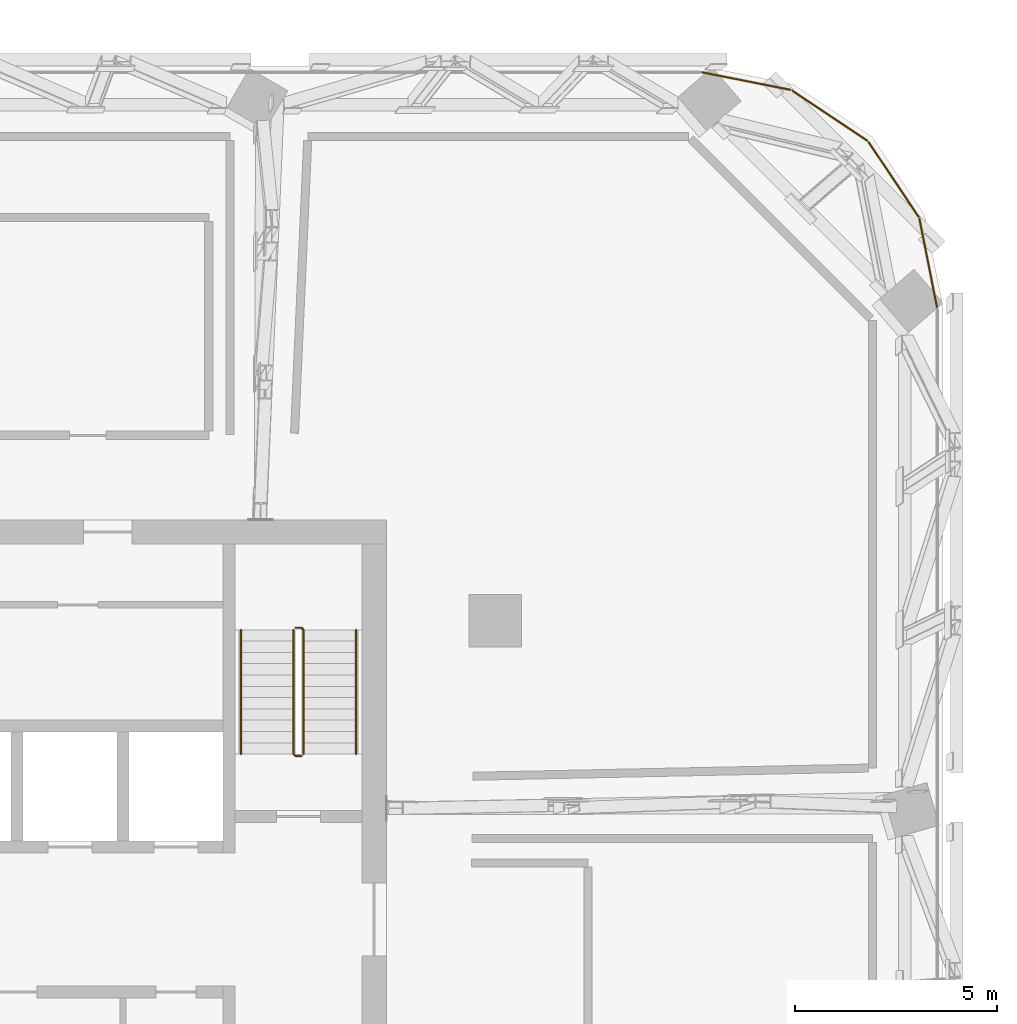
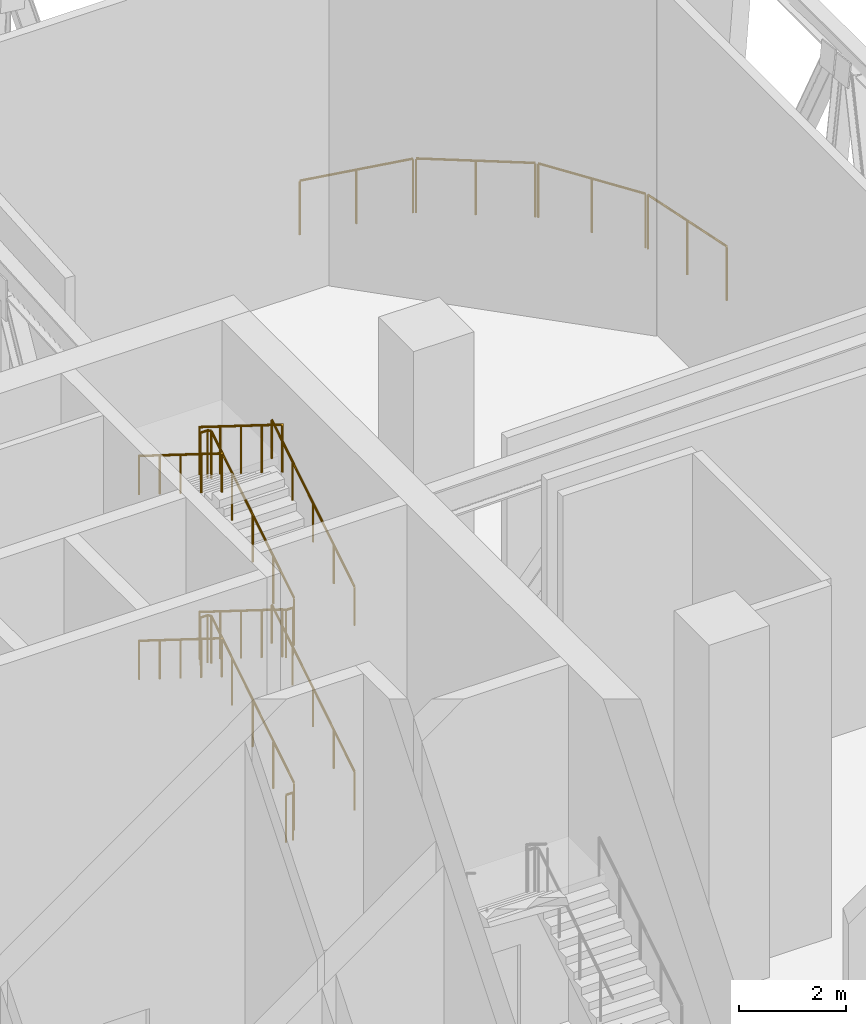
# One storey, part 24 of 24: 13 railings.
"""IFC4 building model written with IfcOpenShell, lengths in metres."""

from ifc_helpers import new_model, si_unit, direction, frame, origin, origin_2d, place, context, subcontext, project, spatial, circle, extrude, material, type_object, element, save


model = new_model("IFC4")

# Units and contexts
model_context = context("Model", 3, precision=1e-05, world=origin(), true_north=direction((0.0, 1.0)))
body_context = subcontext(model_context, "Body", "Model", "MODEL_VIEW")
ifc_project = project(units=[si_unit("LENGTHUNIT", "METRE"), si_unit("AREAUNIT", "SQUARE_METRE"), si_unit("VOLUMEUNIT", "CUBIC_METRE"), si_unit("PLANEANGLEUNIT", "RADIAN"), si_unit("MASSUNIT", "GRAM", prefix="KILO")], contexts=[model_context])

# Site, building, storey
site_placement = place(None, origin())
site = spatial("IfcSite", under=ifc_project, at=site_placement, CompositionType="ELEMENT")
building_placement = place(site_placement, origin())
building = spatial("IfcBuilding", under=site, at=building_placement, Name="Mopane Tessera Tower", CompositionType="ELEMENT")
storey_placement = place(building_placement, frame((0.0, 0.0, 259.0)))
storey = spatial("IfcBuildingStorey", under=building, at=storey_placement, Name="L56", CompositionType="ELEMENT", Elevation=259.0)

# Railings
ifc_material_1 = material(Name="Powder-coated steel balustrade", Category="steel")
railing_type_1 = type_object("IfcRailingType", Name="Escape stair guard 1100 mm", PredefinedType="GUARDRAIL", material=ifc_material_1)
railing_1_placement = place(storey_placement, frame((12.35009765625, 7.699951171875, 0.175048828125)))
element("IfcRailing", 1, at=railing_1_placement, inside=storey, type_object=railing_type_1, Name="L56 ST4 stair guard 1", PredefinedType="GUARDRAIL", context=body_context, shape_type="SweptSolid", body=[
    extrude(circle(Radius=0.02392578125, at=origin_2d()), frame((0.0, 0.0, 1.076171875), z_axis=(0.0, 0.847998304005, 0.529998940003), x_axis=(-1.0, 0.0, 0.0)), (0.0, 0.0, 1.0), 3.632080078125),
    extrude(circle(Radius=0.02392578125, at=origin_2d()), frame((0.0, 3.080078125, 3.0009765625), z_axis=(-0.707106781187, 0.707106781187, 0.0), x_axis=(-0.707106781187, -0.707106781187, 0.0)), (0.0, 0.0, 1.0), 0.07080078125),
    extrude(circle(Radius=0.02392578125, at=origin_2d()), frame((-0.050048828125, 3.130126953125, 3.0009765625), z_axis=(-1.0, 0.0, 0.0), x_axis=(0.0, -1.0, 0.0)), (0.0, 0.0, 1.0), 0.150146484375),
    extrude(circle(Radius=0.02099609375, at=origin_2d()), origin(), (0.0, 0.0, 1.0), 1.052001953125),
    extrude(circle(Radius=0.02099609375, at=origin_2d()), frame((0.0, 0.77001953125, 0.481201171875)), (0.0, 0.0, 1.0), 1.052001953125),
    extrude(circle(Radius=0.02099609375, at=origin_2d()), frame((0.0, 1.5400390625, 0.96240234375)), (0.0, 0.0, 1.0), 1.052001953125),
    extrude(circle(Radius=0.02099609375, at=origin_2d()), frame((0.0, 2.31005859375, 1.44384765625)), (0.0, 0.0, 1.0), 1.052001953125),
    extrude(circle(Radius=0.02099609375, at=origin_2d()), frame((0.0, 3.080078125, 1.925048828125)), (0.0, 0.0, 1.0), 1.052001953125),
    extrude(circle(Radius=0.02099609375, at=origin_2d()), frame((-0.050048828125, 3.130126953125, 1.925048828125)), (0.0, 0.0, 1.0), 1.052001953125),
    extrude(circle(Radius=0.02099609375, at=origin_2d()), frame((-0.2001953125, 3.130126953125, 1.925048828125)), (0.0, 0.0, 1.0), 1.052001953125),
])
railing_2_placement = place(storey_placement, frame((12.10009765625, 10.780029296875, 2.27490234375)))
element("IfcRailing", 2, at=railing_2_placement, inside=storey, type_object=railing_type_1, Name="L56 ST4 stair guard 2", PredefinedType="GUARDRAIL", context=body_context, shape_type="SweptSolid", body=[
    extrude(circle(Radius=0.02392578125, at=origin_2d()), frame((0.0, 0.0, 1.076171875), z_axis=(0.0, -0.847998304005, 0.529998940003), x_axis=(1.0, 0.0, 0.0)), (0.0, 0.0, 1.0), 3.632080078125),
    extrude(circle(Radius=0.02392578125, at=origin_2d()), frame((0.0, -3.080078125, 3.0009765625), z_axis=(0.705375805398, -0.708833529934, 0.0), x_axis=(0.708833529934, 0.705375805398, 0.0)), (0.0, 0.0, 1.0), 0.070556640625),
    extrude(circle(Radius=0.02392578125, at=origin_2d()), frame((0.0498046875, -3.130126953125, 3.0009765625), z_axis=(1.0, 0.0, 0.0), x_axis=(0.0, 1.0, 0.0)), (0.0, 0.0, 1.0), 0.150146484375),
    extrude(circle(Radius=0.02099609375, at=origin_2d()), origin(), (0.0, 0.0, 1.0), 1.052001953125),
    extrude(circle(Radius=0.02099609375, at=origin_2d()), frame((0.0, -0.77001953125, 0.481201171875)), (0.0, 0.0, 1.0), 1.052001953125),
    extrude(circle(Radius=0.02099609375, at=origin_2d()), frame((0.0, -1.5400390625, 0.96240234375)), (0.0, 0.0, 1.0), 1.052001953125),
    extrude(circle(Radius=0.02099609375, at=origin_2d()), frame((0.0, -2.31005859375, 1.44384765625)), (0.0, 0.0, 1.0), 1.052001953125),
    extrude(circle(Radius=0.02099609375, at=origin_2d()), frame((0.0, -3.080078125, 1.925048828125)), (0.0, 0.0, 1.0), 1.052001953125),
    extrude(circle(Radius=0.02099609375, at=origin_2d()), frame((0.0498046875, -3.130126953125, 1.925048828125)), (0.0, 0.0, 1.0), 1.052001953125),
    extrude(circle(Radius=0.02099609375, at=origin_2d()), frame((0.199951171875, -3.130126953125, 1.925048828125)), (0.0, 0.0, 1.0), 1.052001953125),
])
railing_3_placement = place(storey_placement, frame((12.35009765625, 7.699951171875, 4.375)))
element("IfcRailing", 3, at=railing_3_placement, inside=storey, type_object=railing_type_1, Name="L56 ST4 stair guard 3", PredefinedType="GUARDRAIL", context=body_context, shape_type="SweptSolid", body=[
    extrude(circle(Radius=0.02392578125, at=origin_2d()), frame((0.0, 0.0, 1.076171875), z_axis=(0.0, 0.847998304005, 0.529998940003), x_axis=(-1.0, 0.0, 0.0)), (0.0, 0.0, 1.0), 3.632080078125),
    extrude(circle(Radius=0.02392578125, at=origin_2d()), frame((0.0, 3.080078125, 3.0009765625), z_axis=(-0.707106781187, 0.707106781187, 0.0), x_axis=(-0.707106781187, -0.707106781187, 0.0)), (0.0, 0.0, 1.0), 0.07080078125),
    extrude(circle(Radius=0.02392578125, at=origin_2d()), frame((-0.050048828125, 3.130126953125, 3.0009765625), z_axis=(-1.0, 0.0, 0.0), x_axis=(0.0, -1.0, 0.0)), (0.0, 0.0, 1.0), 0.150146484375),
    extrude(circle(Radius=0.02099609375, at=origin_2d()), origin(), (0.0, 0.0, 1.0), 1.052001953125),
    extrude(circle(Radius=0.02099609375, at=origin_2d()), frame((0.0, 0.77001953125, 0.481201171875)), (0.0, 0.0, 1.0), 1.052001953125),
    extrude(circle(Radius=0.02099609375, at=origin_2d()), frame((0.0, 1.5400390625, 0.96240234375)), (0.0, 0.0, 1.0), 1.052001953125),
    extrude(circle(Radius=0.02099609375, at=origin_2d()), frame((0.0, 2.31005859375, 1.44384765625)), (0.0, 0.0, 1.0), 1.052001953125),
    extrude(circle(Radius=0.02099609375, at=origin_2d()), frame((0.0, 3.080078125, 1.925048828125)), (0.0, 0.0, 1.0), 1.052001953125),
    extrude(circle(Radius=0.02099609375, at=origin_2d()), frame((-0.050048828125, 3.130126953125, 1.925048828125)), (0.0, 0.0, 1.0), 1.052001953125),
    extrude(circle(Radius=0.02099609375, at=origin_2d()), frame((-0.2001953125, 3.130126953125, 1.925048828125)), (0.0, 0.0, 1.0), 1.052001953125),
])
railing_4_placement = place(storey_placement, frame((12.10009765625, 10.780029296875, 6.47509765625)))
element("IfcRailing", 4, at=railing_4_placement, inside=storey, type_object=railing_type_1, Name="L56 ST4 stair guard 4", PredefinedType="GUARDRAIL", context=body_context, shape_type="SweptSolid", body=[
    extrude(circle(Radius=0.02392578125, at=origin_2d()), frame((0.0, 0.0, 1.076171875), z_axis=(0.0, -0.848028513186, 0.529950602248), x_axis=(1.0, 0.0, 0.0)), (0.0, 0.0, 1.0), 3.632080078125),
    extrude(circle(Radius=0.02099609375, at=origin_2d()), origin(), (0.0, 0.0, 1.0), 1.052001953125),
    extrude(circle(Radius=0.02099609375, at=origin_2d()), frame((0.0, -0.77001953125, 0.481201171875)), (0.0, 0.0, 1.0), 1.052001953125),
    extrude(circle(Radius=0.02099609375, at=origin_2d()), frame((0.0, -1.5400390625, 0.96240234375)), (0.0, 0.0, 1.0), 1.052001953125),
    extrude(circle(Radius=0.02099609375, at=origin_2d()), frame((0.0, -2.31005859375, 1.443603515625)), (0.0, 0.0, 1.0), 1.052001953125),
    extrude(circle(Radius=0.02099609375, at=origin_2d()), frame((0.0, -3.080078125, 1.9248046875)), (0.0, 0.0, 1.0), 1.052001953125),
])
railing_5_placement = place(storey_placement, frame((12.300048828125, 7.64990234375, 0.0)))
element("IfcRailing", 5, at=railing_5_placement, inside=storey, type_object=railing_type_1, Name="L56 ST4 stair guard 5", PredefinedType="GUARDRAIL", context=body_context, shape_type="SweptSolid", body=[
    extrude(circle(Radius=0.02392578125, at=origin_2d()), frame((0.0, 0.0, 1.076171875), z_axis=(-1.0, 0.0, 0.0), x_axis=(0.0, -1.0, 0.0)), (0.0, 0.0, 1.0), 0.150146484375),
    extrude(circle(Radius=0.02099609375, at=origin_2d()), origin(), (0.0, 0.0, 1.0), 1.052001953125),
    extrude(circle(Radius=0.02099609375, at=origin_2d()), frame((-0.150146484375, 0.0, 0.0)), (0.0, 0.0, 1.0), 1.052001953125),
])
ifc_material_2 = material(Name="Powder-coated steel balustrade", Category="steel")
railing_type_2 = type_object("IfcRailingType", Name="Escape stair handrail 900 mm", PredefinedType="HANDRAIL", material=ifc_material_2)
railing_6_placement = place(storey_placement, frame((13.64990234375, 7.699951171875, 0.175048828125)))
element("IfcRailing", 6, at=railing_6_placement, inside=storey, type_object=railing_type_2, Name="L56 ST4 stair handrail 1", PredefinedType="HANDRAIL", context=body_context, shape_type="SweptSolid", body=[
    extrude(circle(Radius=0.02392578125, at=origin_2d()), frame((0.0, 0.0, 0.8759765625), z_axis=(0.0, 0.847998304005, 0.529998940003), x_axis=(-1.0, 0.0, 0.0)), (0.0, 0.0, 1.0), 3.632080078125),
    extrude(circle(Radius=0.02099609375, at=origin_2d()), origin(), (0.0, 0.0, 1.0), 0.851806640625),
    extrude(circle(Radius=0.02099609375, at=origin_2d()), frame((0.0, 0.77001953125, 0.481201171875)), (0.0, 0.0, 1.0), 0.851806640625),
    extrude(circle(Radius=0.02099609375, at=origin_2d()), frame((0.0, 1.5400390625, 0.96240234375)), (0.0, 0.0, 1.0), 0.851806640625),
    extrude(circle(Radius=0.02099609375, at=origin_2d()), frame((0.0, 2.31005859375, 1.44384765625)), (0.0, 0.0, 1.0), 0.851806640625),
    extrude(circle(Radius=0.02099609375, at=origin_2d()), frame((0.0, 3.080078125, 1.925048828125)), (0.0, 0.0, 1.0), 0.851806640625),
])
railing_7_placement = place(storey_placement, frame((10.800048828125, 10.780029296875, 2.27490234375)))
element("IfcRailing", 7, at=railing_7_placement, inside=storey, type_object=railing_type_2, Name="L56 ST4 stair handrail 2", PredefinedType="HANDRAIL", context=body_context, shape_type="SweptSolid", body=[
    extrude(circle(Radius=0.02392578125, at=origin_2d()), frame((0.0, 0.0, 0.8759765625), z_axis=(0.0, -0.847998304005, 0.529998940003), x_axis=(1.0, 0.0, 0.0)), (0.0, 0.0, 1.0), 3.632080078125),
    extrude(circle(Radius=0.02099609375, at=origin_2d()), origin(), (0.0, 0.0, 1.0), 0.851806640625),
    extrude(circle(Radius=0.02099609375, at=origin_2d()), frame((0.0, -0.77001953125, 0.481201171875)), (0.0, 0.0, 1.0), 0.851806640625),
    extrude(circle(Radius=0.02099609375, at=origin_2d()), frame((0.0, -1.5400390625, 0.96240234375)), (0.0, 0.0, 1.0), 0.851806640625),
    extrude(circle(Radius=0.02099609375, at=origin_2d()), frame((0.0, -2.31005859375, 1.44384765625)), (0.0, 0.0, 1.0), 0.851806640625),
    extrude(circle(Radius=0.02099609375, at=origin_2d()), frame((0.0, -3.080078125, 1.925048828125)), (0.0, 0.0, 1.0), 0.851806640625),
])
railing_8_placement = place(storey_placement, frame((13.64990234375, 7.699951171875, 4.375)))
element("IfcRailing", 8, at=railing_8_placement, inside=storey, type_object=railing_type_2, Name="L56 ST4 stair handrail 3", PredefinedType="HANDRAIL", context=body_context, shape_type="SweptSolid", body=[
    extrude(circle(Radius=0.02392578125, at=origin_2d()), frame((0.0, 0.0, 0.8759765625), z_axis=(0.0, 0.847998304005, 0.529998940003), x_axis=(-1.0, 0.0, 0.0)), (0.0, 0.0, 1.0), 3.632080078125),
    extrude(circle(Radius=0.02099609375, at=origin_2d()), origin(), (0.0, 0.0, 1.0), 0.851806640625),
    extrude(circle(Radius=0.02099609375, at=origin_2d()), frame((0.0, 0.77001953125, 0.481201171875)), (0.0, 0.0, 1.0), 0.851806640625),
    extrude(circle(Radius=0.02099609375, at=origin_2d()), frame((0.0, 1.5400390625, 0.96240234375)), (0.0, 0.0, 1.0), 0.851806640625),
    extrude(circle(Radius=0.02099609375, at=origin_2d()), frame((0.0, 2.31005859375, 1.44384765625)), (0.0, 0.0, 1.0), 0.851806640625),
    extrude(circle(Radius=0.02099609375, at=origin_2d()), frame((0.0, 3.080078125, 1.925048828125)), (0.0, 0.0, 1.0), 0.851806640625),
])
railing_9_placement = place(storey_placement, frame((10.800048828125, 10.780029296875, 6.47509765625)))
element("IfcRailing", 9, at=railing_9_placement, inside=storey, type_object=railing_type_2, Name="L56 ST4 stair handrail 4", PredefinedType="HANDRAIL", context=body_context, shape_type="SweptSolid", body=[
    extrude(circle(Radius=0.02392578125, at=origin_2d()), frame((0.0, 0.0, 0.8759765625), z_axis=(0.0, -0.848028513186, 0.529950602248), x_axis=(1.0, 0.0, 0.0)), (0.0, 0.0, 1.0), 3.632080078125),
    extrude(circle(Radius=0.02099609375, at=origin_2d()), origin(), (0.0, 0.0, 1.0), 0.851806640625),
    extrude(circle(Radius=0.02099609375, at=origin_2d()), frame((0.0, -0.77001953125, 0.481201171875)), (0.0, 0.0, 1.0), 0.851806640625),
    extrude(circle(Radius=0.02099609375, at=origin_2d()), frame((0.0, -1.5400390625, 0.96240234375)), (0.0, 0.0, 1.0), 0.851806640625),
    extrude(circle(Radius=0.02099609375, at=origin_2d()), frame((0.0, -2.31005859375, 1.443603515625)), (0.0, 0.0, 1.0), 0.851806640625),
    extrude(circle(Radius=0.02099609375, at=origin_2d()), frame((0.0, -3.080078125, 1.9248046875)), (0.0, 0.0, 1.0), 0.851806640625),
])
ifc_material_3 = material(Name="Stainless steel S316", Category="steel")
railing_type_3 = type_object("IfcRailingType", Name="Wind floor guard 1250", PredefinedType="GUARDRAIL", material=ifc_material_3)
railing_10_placement = place(storey_placement, frame((28.044189453125, 18.779541015625, 0.0)))
element("IfcRailing", 10, at=railing_10_placement, inside=storey, type_object=railing_type_3, Name="e:og:L56:6", PredefinedType="GUARDRAIL", context=body_context, shape_type="SweptSolid", body=[
    extrude(circle(Radius=0.02392578125, at=origin_2d()), frame((0.0, 0.0, 1.22607421875), z_axis=(-0.195101986683, 0.980782960085, 0.0), x_axis=(-0.980782960085, -0.195101986683, 0.0)), (0.0, 0.0, 1.0), 2.222412109375),
    extrude(circle(Radius=0.02099609375, at=origin_2d()), origin(), (0.0, 0.0, 1.0), 1.201904296875),
    extrude(circle(Radius=0.02099609375, at=origin_2d()), frame((-0.216796875, 1.08984375, 0.0)), (0.0, 0.0, 1.0), 1.201904296875),
    extrude(circle(Radius=0.02099609375, at=origin_2d()), frame((-0.43359375, 2.1796875, 0.0)), (0.0, 0.0, 1.0), 1.201904296875),
])
railing_11_placement = place(storey_placement, frame((27.588134765625, 21.013671875, 0.0)))
element("IfcRailing", 11, at=railing_11_placement, inside=storey, type_object=railing_type_3, Name="e:og:L56:7", PredefinedType="GUARDRAIL", context=body_context, shape_type="SweptSolid", body=[
    extrude(circle(Radius=0.02392578125, at=origin_2d()), frame((0.0, 0.0, 1.22607421875), z_axis=(-0.555612448047, 0.831441403573, 0.0), x_axis=(-0.831441403573, -0.555612448047, 0.0)), (0.0, 0.0, 1.0), 2.222412109375),
    extrude(circle(Radius=0.02099609375, at=origin_2d()), origin(), (0.0, 0.0, 1.0), 1.201904296875),
    extrude(circle(Radius=0.02099609375, at=origin_2d()), frame((-0.617431640625, 0.923828125, 0.0)), (0.0, 0.0, 1.0), 1.201904296875),
    extrude(circle(Radius=0.02099609375, at=origin_2d()), frame((-1.23486328125, 1.847900390625, 0.0)), (0.0, 0.0, 1.0), 1.201904296875),
])
railing_12_placement = place(storey_placement, frame((26.3115234375, 22.9033203125, 0.0)))
element("IfcRailing", 12, at=railing_12_placement, inside=storey, type_object=railing_type_3, Name="e:og:L56:8", PredefinedType="GUARDRAIL", context=body_context, shape_type="SweptSolid", body=[
    extrude(circle(Radius=0.02392578125, at=origin_2d()), frame((0.0, 0.0, 1.22607421875), z_axis=(-0.831492148611, 0.55553650357, 0.0), x_axis=(-0.55553650357, -0.831492148611, 0.0)), (0.0, 0.0, 1.0), 2.222412109375),
    extrude(circle(Radius=0.02099609375, at=origin_2d()), origin(), (0.0, 0.0, 1.0), 1.201904296875),
    extrude(circle(Radius=0.02099609375, at=origin_2d()), frame((-0.923828125, 0.6171875, 0.0)), (0.0, 0.0, 1.0), 1.201904296875),
    extrude(circle(Radius=0.02099609375, at=origin_2d()), frame((-1.847900390625, 1.234619140625, 0.0)), (0.0, 0.0, 1.0), 1.201904296875),
])
railing_13_placement = place(storey_placement, frame((24.4091796875, 24.16064453125, 0.0)))
element("IfcRailing", 13, at=railing_13_placement, inside=storey, type_object=railing_type_3, Name="e:og:L56:9", PredefinedType="GUARDRAIL", context=body_context, shape_type="SweptSolid", body=[
    extrude(circle(Radius=0.02392578125, at=origin_2d()), frame((0.0, 0.0, 1.22607421875), z_axis=(-0.980782960085, 0.195101986683, 0.0), x_axis=(-0.195101986683, -0.980782960085, 0.0)), (0.0, 0.0, 1.0), 2.222412109375),
    extrude(circle(Radius=0.02099609375, at=origin_2d()), origin(), (0.0, 0.0, 1.0), 1.201904296875),
    extrude(circle(Radius=0.02099609375, at=origin_2d()), frame((-1.08984375, 0.216796875, 0.0)), (0.0, 0.0, 1.0), 1.201904296875),
    extrude(circle(Radius=0.02099609375, at=origin_2d()), frame((-2.1796875, 0.43359375, 0.0)), (0.0, 0.0, 1.0), 1.201904296875),
])

save(model, "model.ifc")
